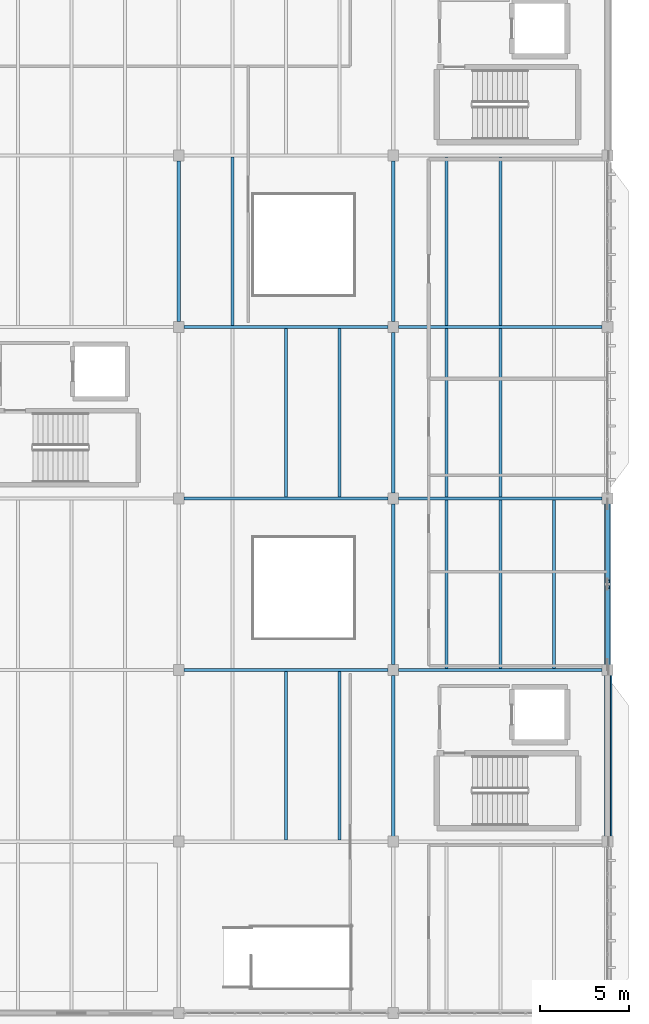
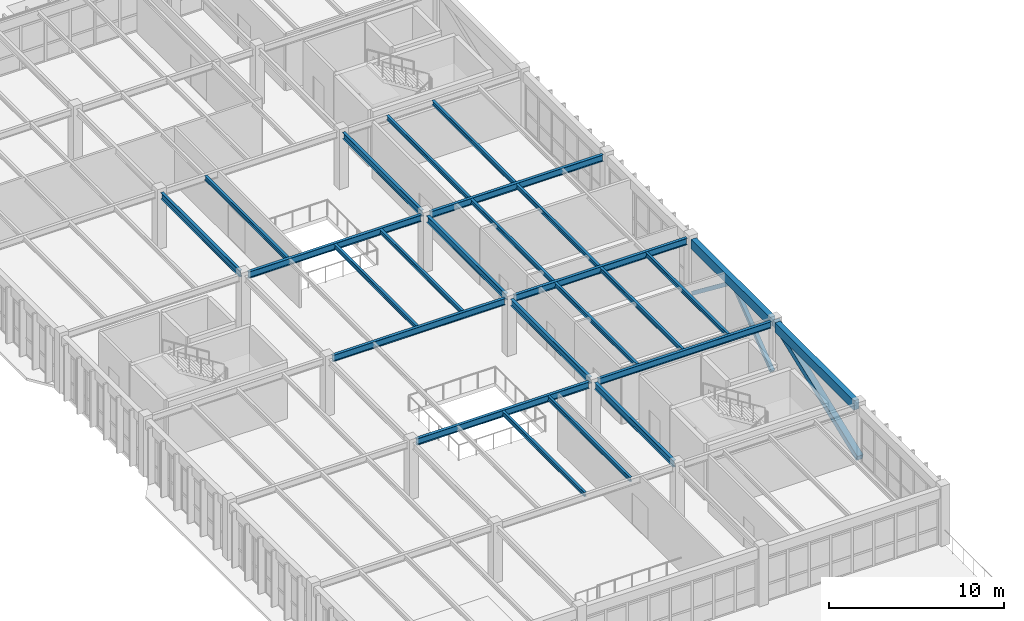
# One storey, part 41 of 83: 25 beams, 3 members.
"""IFC4 building model written with IfcOpenShell, lengths in metres."""

import ifcopenshell
import ifcopenshell.guid

model = None  # the IFC model being written
_history = None  # IfcOwnerHistory: only IFC2X3 demands one
_inside = {}  # id of a spatial element -> (the spatial element, [elements in it])
_under = {}  # id of a project, library or spatial element -> (it, [spatial elements below it])
_declared = {}  # id of a project -> (the project, [libraries it declares])
_typed = {}  # id of a type object -> (the type object, [elements of that type])
_made_of = {}  # id of a material, layer set ... -> (it, [elements and type objects made of it])


def new_model(schema):
    """Start an empty IFC model of exactly this schema.

    Asked for "IFC4X3", IfcOpenShell would pick the latest addendum, in which some entities
    have other attributes; the version numbers below select the first issue.
    IFC2X3 requires an IfcOwnerHistory on every rooted entity: one is made here for all.
    """
    global model, _history
    if schema == "IFC4X3":
        model = ifcopenshell.file(schema_version=(4, 3, 0, 0))
    else:
        model = ifcopenshell.file(schema=schema)
    _inside.clear()
    _under.clear()
    _declared.clear()
    _typed.clear()
    _made_of.clear()
    _history = None
    if model.schema == "IFC2X3":
        org = make("IfcOrganization", Name="unknown")
        user = make(
            "IfcPersonAndOrganization",
            ThePerson=make("IfcPerson", FamilyName="unknown"),
            TheOrganization=org,
        )
        app = make(
            "IfcApplication",
            ApplicationDeveloper=org,
            Version="unknown",
            ApplicationFullName="unknown",
            ApplicationIdentifier="unknown",
        )
        _history = make(
            "IfcOwnerHistory",
            OwningUser=user,
            OwningApplication=app,
            ChangeAction="ADDED",
            CreationDate=0,
        )
    return model


def make(cls, **values):
    """One entity of the class cls with the attributes given. An attribute that is None is left unset."""
    return model.create_entity(
        cls, **{name: value for name, value in values.items() if value is not None}
    )


def rooted(cls, **values):
    """An entity with a GlobalId (a new one), such as an element, a storey or a relation."""
    return make(cls, GlobalId=ifcopenshell.guid.new(), OwnerHistory=_history, **values)


def si_unit(unit_type, name, prefix=None):
    """IfcSIUnit, for example si_unit("LENGTHUNIT", "METRE", prefix="MILLI")."""
    return make("IfcSIUnit", UnitType=unit_type, Prefix=prefix, Name=name)


def assignment(units):
    """IfcUnitAssignment: the units of a project."""
    return None if units is None else make("IfcUnitAssignment", Units=units)


def point(xyz):
    """IfcCartesianPoint."""
    return None if xyz is None else make("IfcCartesianPoint", Coordinates=xyz)


def direction(xyz):
    """IfcDirection."""
    return None if xyz is None else make("IfcDirection", DirectionRatios=xyz)


def frame(location, z_axis=None, x_axis=None):
    """IfcAxis2Placement3D, a coordinate frame: its origin and axes. An axis left out is left unset."""
    return make(
        "IfcAxis2Placement3D",
        Location=point(location),
        Axis=direction(z_axis),
        RefDirection=direction(x_axis),
    )


def frame_2d(location, x_axis=None):
    """IfcAxis2Placement2D, a coordinate frame in the plane: its origin and x axis."""
    return make(
        "IfcAxis2Placement2D", Location=point(location), RefDirection=direction(x_axis)
    )


def origin():
    """The frame at (0, 0, 0) with its axes left unset."""
    return frame((0.0, 0.0, 0.0))


def origin_2d():
    """The frame at (0, 0) in the plane with its x axis left unset."""
    return frame_2d((0.0, 0.0))


def place(relative_to, where):
    """IfcLocalPlacement: puts the frame where relative to a parent placement (None: the world)."""
    return make(
        "IfcLocalPlacement", PlacementRelTo=relative_to, RelativePlacement=where
    )


def context(
    kind, dimensions, precision=None, world=None, true_north=None, identifier=None
):
    """IfcGeometricRepresentationContext, for example the 3D "Model" context."""
    return make(
        "IfcGeometricRepresentationContext",
        ContextIdentifier=identifier,
        ContextType=kind,
        CoordinateSpaceDimension=dimensions,
        Precision=precision,
        WorldCoordinateSystem=world,
        TrueNorth=true_north,
    )


def subcontext(parent, identifier, kind, view, scale=None):
    """IfcGeometricRepresentationSubContext, for example "Body" below "Model"."""
    return make(
        "IfcGeometricRepresentationSubContext",
        ContextIdentifier=identifier,
        ContextType=kind,
        ParentContext=parent,
        TargetScale=scale,
        TargetView=view,
    )


def project(units=None, contexts=None):
    """IfcProject with its units and contexts."""
    return rooted(
        "IfcProject",
        Name="project",
        RepresentationContexts=contexts,
        UnitsInContext=assignment(units),
    )


def spatial(cls, under=None, at=None, **own):
    """A site, building, storey or space (cls), placed at a placement, below another one or the project."""
    s = rooted(cls, ObjectPlacement=at, **own)
    if under is not None:
        _under.setdefault(under.id(), (under, []))[1].append(s)
    return s


def profile(cls, at=None, kind="AREA", **sizes):
    """A parametric profile (cls). Its sizes go by their IFC names, for example OverallWidth=200.0."""
    return make(cls, ProfileType=kind, Position=at, **sizes)


def rectangle(**sizes):
    """IfcRectangleProfileDef."""
    return profile("IfcRectangleProfileDef", **sizes)


def hollow_rectangle(**sizes):
    """IfcRectangleHollowProfileDef."""
    return profile("IfcRectangleHollowProfileDef", **sizes)


def i_section(**sizes):
    """IfcIShapeProfileDef."""
    return profile("IfcIShapeProfileDef", **sizes)


def extrude(swept, where, along, depth):
    """IfcExtrudedAreaSolid: the profile swept, set in the frame where, extruded along a direction by depth."""
    return make(
        "IfcExtrudedAreaSolid",
        SweptArea=swept,
        Position=where,
        ExtrudedDirection=direction(along),
        Depth=depth,
    )


def shape(context_of_items, identifier, shape_type, items):
    """IfcShapeRepresentation: the items that make up one representation, for example the "Body"."""
    return make(
        "IfcShapeRepresentation",
        ContextOfItems=context_of_items,
        RepresentationIdentifier=identifier,
        RepresentationType=shape_type,
        Items=items,
    )


def material(Name=None, Category=None):
    """IfcMaterial."""
    return make("IfcMaterial", Name=Name, Category=Category)


def material_profile(
    of_material, cross_section, Name=None, Category=None, Priority=None
):
    """IfcMaterialProfile: a cross section and its material."""
    return make(
        "IfcMaterialProfile",
        Name=Name,
        Material=of_material,
        Profile=cross_section,
        Priority=Priority,
        Category=Category,
    )


def profile_set(profiles, Name=None, composite=None):
    """IfcMaterialProfileSet."""
    return make(
        "IfcMaterialProfileSet",
        Name=Name,
        MaterialProfiles=profiles,
        CompositeProfile=composite,
    )


def made_of(thing, what):
    """Note that an element or type object is made of a material, layer set ...; save() writes the relation."""
    if what is not None:
        _made_of.setdefault(what.id(), (what, []))[1].append(thing)
    return thing


def type_object(cls, material=None, **own):
    """A type object (cls), such as IfcWallType, which elements share."""
    return made_of(rooted(cls, **own), material)


def element(
    cls,
    number,
    at=None,
    inside=None,
    cuts=None,
    type_object=None,
    material=None,
    context=None,
    identifier="Body",
    shape_type=None,
    held_by="IfcProductDefinitionShape",
    body=None,
    shapes=None,
    **own,
):
    """One element of the class cls, such as IfcWall. Its Tag is "e" and its number.

    at: its placement. inside: the storey or other place that contains it. cuts: it is an
    opening in that element (IfcRelVoidsElement). A single representation is given by context,
    identifier, shape_type and body (its items); several are given by shapes. held_by: the class
    of the entity that holds the representations. save() writes the other relations.
    """
    e = rooted(cls, Tag="e%d" % number, ObjectPlacement=at, **own)
    if body is not None:
        shapes = [shape(context, identifier, shape_type, body)]
    if shapes is not None:
        e.Representation = make(held_by, Representations=shapes)
    if inside is not None:
        _inside.setdefault(inside.id(), (inside, []))[1].append(e)
    if cuts is not None:
        rooted(
            "IfcRelVoidsElement", RelatingBuildingElement=cuts, RelatedOpeningElement=e
        )
    if type_object is not None:
        _typed.setdefault(type_object.id(), (type_object, []))[1].append(e)
    return made_of(e, material)


def aggregate(whole, parts):
    """IfcRelAggregates: a whole, such as a stair, and the parts it consists of."""
    return rooted("IfcRelAggregates", RelatingObject=whole, RelatedObjects=parts)


def save(model, path):
    """Write the relations noted so far, then the file.

    IfcRelAggregates (storeys below a building ...), IfcRelContainedInSpatialStructure (elements
    in a storey), IfcRelDefinesByType, IfcRelAssociatesMaterial and IfcRelDeclares: one each for
    every whole, place, type object, material and project.
    """
    for whole, parts in _under.values():
        aggregate(whole, parts)
    for where, things in _inside.values():
        rooted(
            "IfcRelContainedInSpatialStructure",
            RelatedElements=things,
            RelatingStructure=where,
        )
    for kind, things in _typed.values():
        rooted("IfcRelDefinesByType", RelatedObjects=things, RelatingType=kind)
    for what, things in _made_of.values():
        rooted("IfcRelAssociatesMaterial", RelatedObjects=things, RelatingMaterial=what)
    for by, libraries in _declared.values():
        rooted("IfcRelDeclares", RelatingContext=by, RelatedDefinitions=libraries)
    model.write(path)


model = new_model("IFC4")

# Units and contexts
model_context = context("Model", 3, precision=1e-05, world=origin(), true_north=direction((0.0, 1.0)))
body_context = subcontext(model_context, "Body", "Model", "MODEL_VIEW")
ifc_project = project(units=[si_unit("LENGTHUNIT", "METRE"), si_unit("AREAUNIT", "SQUARE_METRE"), si_unit("VOLUMEUNIT", "CUBIC_METRE"), si_unit("PLANEANGLEUNIT", "RADIAN"), si_unit("MASSUNIT", "GRAM", prefix="KILO")], contexts=[model_context])

# Site, building, storey
site_placement = place(None, origin())
site = spatial("IfcSite", under=ifc_project, at=site_placement, CompositionType="ELEMENT")
building_placement = place(site_placement, origin())
building = spatial("IfcBuilding", under=site, at=building_placement, Name="Pandanus Reach Market Hall", CompositionType="ELEMENT")
storey_placement = place(building_placement, frame((0.0, 0.0, 10.199951171875)))
storey = spatial("IfcBuildingStorey", under=building, at=storey_placement, Name="L02", CompositionType="ELEMENT", Elevation=10.199951171875)

# Beams
ifc_material_1 = material(Name="Concrete N40 (40 MPa)", Category="concrete")
ifc_material_profile_1 = material_profile(ifc_material_1, rectangle(XDim=0.35009765625, YDim=0.64990234375, at=origin_2d()), Name="RC350x650", Category="LoadBearing")
ifc_profile_set_1 = profile_set([ifc_material_profile_1], Name="Concrete N40 (40 MPa)")
beam_type_1 = type_object("IfcBeamType", Name="BM-RC350-E", PredefinedType="SPANDREL", material=ifc_profile_set_1)
beam_1_placement = place(storey_placement, frame((180.0, 29.097900390625, 3.625), z_axis=(0.0, 1.0, 0.0), x_axis=(-1.0, 0.0, 0.0)))
element("IfcBeam", 1, at=beam_1_placement, inside=storey, type_object=beam_type_1, Name="Framing beam BM-RC350-E L02.483", PredefinedType="SPANDREL", context=body_context, shape_type="SweptSolid", body=[
    extrude(rectangle(XDim=0.35009765625, YDim=0.64990234375, at=origin_2d()), origin(), (0.0, 0.0, 1.0), 9.004150390625),
])
beam_2_placement = place(storey_placement, frame((180.0, 38.697998046875, 3.625), z_axis=(0.0, 1.0, 0.0), x_axis=(-1.0, 0.0, 0.0)))
element("IfcBeam", 2, at=beam_2_placement, inside=storey, type_object=beam_type_1, Name="Framing beam BM-RC350-E L02.484", PredefinedType="SPANDREL", context=body_context, shape_type="SweptSolid", body=[
    extrude(rectangle(XDim=0.35009765625, YDim=0.64990234375, at=origin_2d()), origin(), (0.0, 0.0, 1.0), 9.00390625),
])
ifc_material_2 = material(Name="Steel Grade 350 (350 MPa)", Category="steel")
ifc_material_profile_2 = material_profile(ifc_material_2, i_section(OverallWidth=0.18994140625, OverallDepth=0.45703125, WebThickness=0.009033203125, FlangeThickness=0.014404296875, at=origin_2d()), Name="460UB74.6", Category="LoadBearing")
ifc_profile_set_2 = profile_set([ifc_material_profile_2], Name="Steel Grade 350 (350 MPa)")
beam_type_2 = type_object("IfcBeamType", Name="BM-UB460-I", PredefinedType="BEAM", material=ifc_profile_set_2)
for number, where, z_axis, x_axis, name in (
    (3, (156.298095703125, 38.39990234375, 3.72119140625), (1.0, 0.0, 0.0), (0.0, 1.0, 0.0), "Framing beam BM-UB460-I L02.444"),
    (4, (168.298095703125, 38.39990234375, 3.72119140625), (1.0, 0.0, 0.0), (0.0, 1.0, 0.0), "Framing beam BM-UB460-I L02.445"),
    (5, (156.298095703125, 48.0, 3.72119140625), (1.0, 0.0, 0.0), (0.0, 1.0, 0.0), "Framing beam BM-UB460-I L02.447"),
    (6, (168.298095703125, 48.0, 3.72119140625), (1.0, 0.0, 0.0), (0.0, 1.0, 0.0), "Framing beam BM-UB460-I L02.448"),
    (7, (156.298095703125, 57.60009765625, 3.72119140625), (1.0, 0.0, 0.0), (0.0, 1.0, 0.0), "Framing beam BM-UB460-I L02.450"),
    (8, (168.298095703125, 57.60009765625, 3.72119140625), (1.0, 0.0, 0.0), (0.0, 1.0, 0.0), "Framing beam BM-UB460-I L02.451"),
):
    element("IfcBeam", number, at=place(storey_placement, frame(where, z_axis=z_axis, x_axis=x_axis)), inside=storey, type_object=beam_type_2, Name=name, PredefinedType="BEAM", context=body_context, shape_type="SweptSolid", body=[
        extrude(i_section(OverallWidth=0.18994140625, OverallDepth=0.45703125, WebThickness=0.009033203125, FlangeThickness=0.014404296875, at=origin_2d()), origin(), (0.0, 0.0, 1.0), 11.40380859375),
    ])
for number, where, z_axis, x_axis, name in (
    (9, (156.0, 57.89794921875, 3.72119140625), (0.0, 1.0, 0.0), (-1.0, 0.0, 0.0), "Framing beam BM-UB460-I L02.472"),
    (10, (168.0, 29.097900390625, 3.72119140625), (0.0, 1.0, 0.0), (-1.0, 0.0, 0.0), "Framing beam BM-UB460-I L02.476"),
):
    element("IfcBeam", number, at=place(storey_placement, frame(where, z_axis=z_axis, x_axis=x_axis)), inside=storey, type_object=beam_type_2, Name=name, PredefinedType="BEAM", context=body_context, shape_type="SweptSolid", body=[
        extrude(i_section(OverallWidth=0.18994140625, OverallDepth=0.45703125, WebThickness=0.009033203125, FlangeThickness=0.014404296875, at=origin_2d()), origin(), (0.0, 0.0, 1.0), 9.004150390625),
    ])
for number, where, z_axis, x_axis, name in (
    (11, (168.0, 38.697998046875, 3.72119140625), (0.0, 1.0, 0.0), (-1.0, 0.0, 0.0), "Framing beam BM-UB460-I L02.477"),
    (12, (168.0, 48.298095703125, 3.72119140625), (0.0, 1.0, 0.0), (-1.0, 0.0, 0.0), "Framing beam BM-UB460-I L02.478"),
):
    element("IfcBeam", number, at=place(storey_placement, frame(where, z_axis=z_axis, x_axis=x_axis)), inside=storey, type_object=beam_type_2, Name=name, PredefinedType="BEAM", context=body_context, shape_type="SweptSolid", body=[
        extrude(i_section(OverallWidth=0.18994140625, OverallDepth=0.45703125, WebThickness=0.009033203125, FlangeThickness=0.014404296875, at=origin_2d()), origin(), (0.0, 0.0, 1.0), 9.00390625),
    ])
beam_3_placement = place(storey_placement, frame((168.0, 57.89794921875, 3.72119140625), z_axis=(0.0, 1.0, 0.0), x_axis=(-1.0, 0.0, 0.0)))
element("IfcBeam", 13, at=beam_3_placement, inside=storey, type_object=beam_type_2, Name="Framing beam BM-UB460-I L02.479", PredefinedType="BEAM", context=body_context, shape_type="SweptSolid", body=[
    extrude(i_section(OverallWidth=0.18994140625, OverallDepth=0.45703125, WebThickness=0.009033203125, FlangeThickness=0.014404296875, at=origin_2d()), origin(), (0.0, 0.0, 1.0), 9.004150390625),
])

# Members
ifc_material_profile_3 = material_profile(ifc_material_2, hollow_rectangle(XDim=0.25, YDim=0.25, WallThickness=0.010009765625, at=origin_2d()), Name="250x250x10.0SHS", Category="LoadBearing")
ifc_profile_set_3 = profile_set([ifc_material_profile_3], Name="Steel Grade 350 (350 MPa)")
member_type_1 = type_object("IfcMemberType", Name="BR-SHS250-E", PredefinedType="BRACE", material=ifc_profile_set_3)
for number, where, z_axis, x_axis, name in (
    (14, (180.0, 38.68994140625, 0.150146484375), (0.0, 0.792982042501, 0.609245008408), (-1.0, 0.0, 0.0), "Chevron brace BR-SHS250-E 14A"),
    (15, (180.0, 47.7099609375, 0.150146484375), (0.0, -0.79296556038, 0.609266460632), (1.0, 0.0, 0.0), "Chevron brace BR-SHS250-E 14B"),
):
    element("IfcMember", number, at=place(storey_placement, frame(where, z_axis=z_axis, x_axis=x_axis)), inside=storey, type_object=member_type_1, Name=name, PredefinedType="BRACE", context=body_context, shape_type="SweptSolid", body=[
        extrude(hollow_rectangle(XDim=0.25, YDim=0.25, WallThickness=0.010009765625, at=origin_2d()), origin(), (0.0, 0.0, 1.0), 5.498291015625),
    ])

# Beams
ifc_material_profile_4 = material_profile(ifc_material_2, i_section(OverallWidth=0.1650390625, OverallDepth=0.303955078125, WebThickness=0.006103515625, FlangeThickness=0.01025390625, at=origin_2d()), Name="310UB40.4", Category="LoadBearing")
ifc_profile_set_4 = profile_set([ifc_material_profile_4], Name="Steel Grade 350 (350 MPa)")
beam_type_3 = type_object("IfcBeamType", Name="JS-UB310-I", PredefinedType="JOIST", material=ifc_profile_set_4)
for number, where, z_axis, x_axis, name in (
    (16, (162.0, 28.89306640625, 3.797607421875), (0.0, 1.0, 0.0), (-1.0, 0.0, 0.0), "Secondary joist JS-UB310-I L02.508"),
    (17, (165.0, 28.89306640625, 3.797607421875), (0.0, 1.0, 0.0), (-1.0, 0.0, 0.0), "Secondary joist JS-UB310-I L02.509"),
):
    element("IfcBeam", number, at=place(storey_placement, frame(where, z_axis=z_axis, x_axis=x_axis)), inside=storey, type_object=beam_type_3, Name=name, PredefinedType="JOIST", context=body_context, shape_type="SweptSolid", body=[
        extrude(i_section(OverallWidth=0.1650390625, OverallDepth=0.303955078125, WebThickness=0.006103515625, FlangeThickness=0.01025390625, at=origin_2d()), origin(), (0.0, 0.0, 1.0), 9.413818359375),
    ])
for number, where, z_axis, x_axis, name in (
    (18, (162.0, 48.093017578125, 3.797607421875), (0.0, 1.0, 0.0), (-1.0, 0.0, 0.0), "Secondary joist JS-UB310-I L02.512"),
    (19, (165.0, 48.093017578125, 3.797607421875), (0.0, 1.0, 0.0), (-1.0, 0.0, 0.0), "Secondary joist JS-UB310-I L02.513"),
):
    element("IfcBeam", number, at=place(storey_placement, frame(where, z_axis=z_axis, x_axis=x_axis)), inside=storey, type_object=beam_type_3, Name=name, PredefinedType="JOIST", context=body_context, shape_type="SweptSolid", body=[
        extrude(i_section(OverallWidth=0.1650390625, OverallDepth=0.303955078125, WebThickness=0.006103515625, FlangeThickness=0.01025390625, at=origin_2d()), origin(), (0.0, 0.0, 1.0), 9.4140625),
    ])
beam_4_placement = place(storey_placement, frame((159.0, 57.693115234375, 3.797607421875), z_axis=(0.0, 1.0, 0.0), x_axis=(-1.0, 0.0, 0.0)))
element("IfcBeam", 20, at=beam_4_placement, inside=storey, type_object=beam_type_3, Name="Secondary joist JS-UB310-I L02.514", PredefinedType="JOIST", context=body_context, shape_type="SweptSolid", body=[
    extrude(i_section(OverallWidth=0.1650390625, OverallDepth=0.303955078125, WebThickness=0.006103515625, FlangeThickness=0.01025390625, at=origin_2d()), origin(), (0.0, 0.0, 1.0), 9.413818359375),
])
for number, where, z_axis, x_axis, name in (
    (21, (171.0, 38.492919921875, 3.797607421875), (0.0, 1.0, 0.0), (-1.0, 0.0, 0.0), "Secondary joist JS-UB310-I L02.524"),
    (22, (174.0, 38.492919921875, 3.797607421875), (0.0, 1.0, 0.0), (-1.0, 0.0, 0.0), "Secondary joist JS-UB310-I L02.525"),
    (23, (177.0, 38.492919921875, 3.797607421875), (0.0, 1.0, 0.0), (-1.0, 0.0, 0.0), "Secondary joist JS-UB310-I L02.526"),
    (24, (171.0, 48.093017578125, 3.797607421875), (0.0, 1.0, 0.0), (-1.0, 0.0, 0.0), "Secondary joist JS-UB310-I L02.527"),
    (25, (174.0, 48.093017578125, 3.797607421875), (0.0, 1.0, 0.0), (-1.0, 0.0, 0.0), "Secondary joist JS-UB310-I L02.528"),
):
    element("IfcBeam", number, at=place(storey_placement, frame(where, z_axis=z_axis, x_axis=x_axis)), inside=storey, type_object=beam_type_3, Name=name, PredefinedType="JOIST", context=body_context, shape_type="SweptSolid", body=[
        extrude(i_section(OverallWidth=0.1650390625, OverallDepth=0.303955078125, WebThickness=0.006103515625, FlangeThickness=0.01025390625, at=origin_2d()), origin(), (0.0, 0.0, 1.0), 9.4140625),
    ])
for number, where, z_axis, x_axis, name in (
    (26, (171.0, 57.693115234375, 3.797607421875), (0.0, 1.0, 0.0), (-1.0, 0.0, 0.0), "Secondary joist JS-UB310-I L02.530"),
    (27, (174.0, 57.693115234375, 3.797607421875), (0.0, 1.0, 0.0), (-1.0, 0.0, 0.0), "Secondary joist JS-UB310-I L02.531"),
):
    element("IfcBeam", number, at=place(storey_placement, frame(where, z_axis=z_axis, x_axis=x_axis)), inside=storey, type_object=beam_type_3, Name=name, PredefinedType="JOIST", context=body_context, shape_type="SweptSolid", body=[
        extrude(i_section(OverallWidth=0.1650390625, OverallDepth=0.303955078125, WebThickness=0.006103515625, FlangeThickness=0.01025390625, at=origin_2d()), origin(), (0.0, 0.0, 1.0), 9.413818359375),
    ])

# Member
ifc_material_3 = material(Name="Concrete N50 (50 MPa)", Category="concrete")
ifc_material_profile_5 = material_profile(ifc_material_3, rectangle(XDim=0.39990234375, YDim=0.39990234375, at=origin_2d()), Name="RC400x400", Category="LoadBearing")
ifc_profile_set_5 = profile_set([ifc_material_profile_5], Name="Concrete N50 (50 MPa)")
member_type_2 = type_object("IfcMemberType", Name="VS-RC400-E", PredefinedType="STRUT", material=ifc_profile_set_5)
member_placement = place(storey_placement, frame((180.050048828125, 28.800048828125, 0.10009765625), z_axis=(0.0, 0.93309462138, 0.359630960225), x_axis=(-1.0, 0.0, 0.0)))
element("IfcMember", 28, at=member_placement, inside=storey, type_object=member_type_2, Name="Sculpted concrete diagrid rib 3", PredefinedType="STRUT", context=body_context, shape_type="SweptSolid", body=[
    extrude(rectangle(XDim=0.39990234375, YDim=0.39990234375, at=origin_2d()), origin(), (0.0, 0.0, 1.0), 10.2880859375),
])

save(model, "model.ifc")
